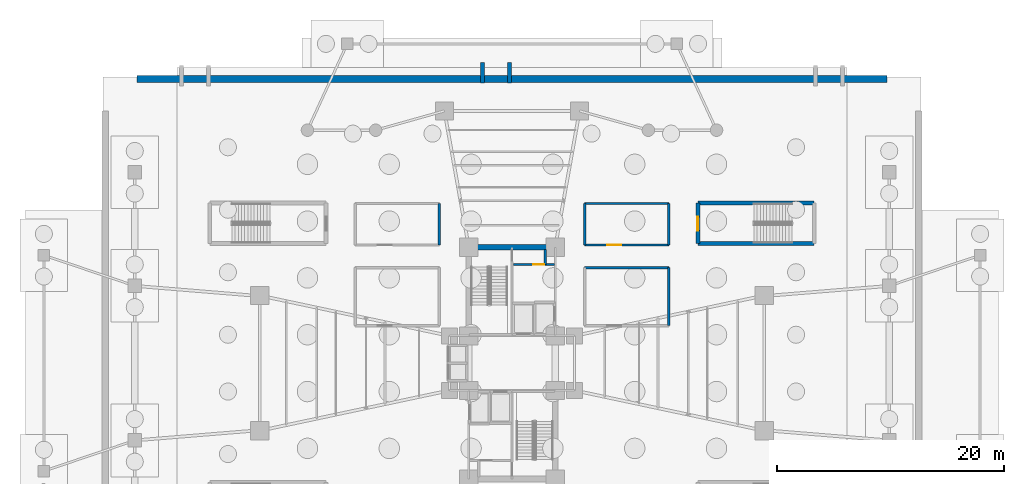
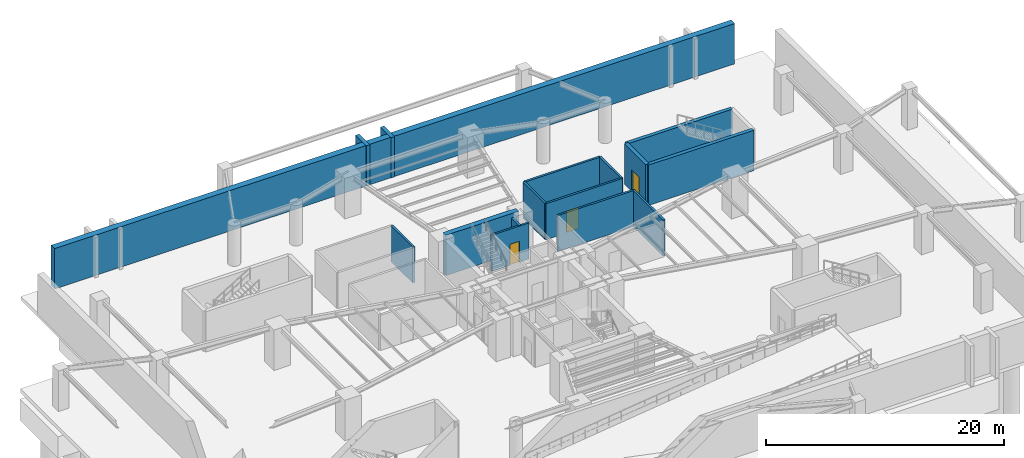
# One storey, part 9 of 15: 16 walls, 3 doors, 3 openings.
"""IFC4 building model written with IfcOpenShell, lengths in metres."""

from ifc_helpers import new_model, si_unit, direction, frame, frame_2d, origin, origin_2d, place, context, subcontext, project, spatial, rectangle, extrude, source, transform, mapped, material, layer, layer_set, type_object, element, fill, save


model = new_model("IFC4")

# Units and contexts
model_context = context("Model", 3, precision=1e-05, world=origin(), true_north=direction((0.0, 1.0)))
body_context = subcontext(model_context, "Body", "Model", "MODEL_VIEW")
ifc_project = project(units=[si_unit("LENGTHUNIT", "METRE"), si_unit("AREAUNIT", "SQUARE_METRE"), si_unit("VOLUMEUNIT", "CUBIC_METRE"), si_unit("PLANEANGLEUNIT", "RADIAN"), si_unit("MASSUNIT", "GRAM", prefix="KILO")], contexts=[model_context])

# Site, building, storey
site_placement = place(None, origin())
site = spatial("IfcSite", under=ifc_project, at=site_placement, CompositionType="ELEMENT")
building_placement = place(site_placement, origin())
building = spatial("IfcBuilding", under=site, at=building_placement, Name="Sahyath Konkavel Grand Hotel", CompositionType="ELEMENT")
storey_placement = place(building_placement, frame((0.0, 0.0, -9.0)))
storey = spatial("IfcBuildingStorey", under=building, at=storey_placement, Name="B2", CompositionType="ELEMENT", Elevation=-9.0)

# Walls
ifc_material_1 = material(Name="Concrete C50/60", Category="concrete")
ifc_layer_1 = layer(ifc_material_1, 0.60009765625)
ifc_layer_set_1 = layer_set([ifc_layer_1], Name="Concrete C50/60")
wall_type_1 = type_object("IfcWallType", Name="BWALL-600", PredefinedType="SOLIDWALL", material=ifc_layer_set_1)
wall_1_placement = place(storey_placement, frame((-33.0, 25.0, 0.0), z_axis=(0.0, 0.0, 1.0), x_axis=(1.0, 0.0, 0.0)))
element("IfcWall", 1, at=wall_1_placement, inside=storey, type_object=wall_type_1, Name="B2 Perimeter Retaining Wall N", PredefinedType="SOLIDWALL", context=body_context, shape_type="SweptSolid", body=[
    extrude(rectangle(XDim=66.0, YDim=0.60009765625, at=frame_2d((33.0, 0.0))), origin(), (0.0, 0.0, 1.0), 4.14990234375),
])
ifc_material_2 = material(Name="Concrete C40/50", Category="concrete")
ifc_layer_2 = layer(ifc_material_2, 0.35009765625)
ifc_layer_set_2 = layer_set([ifc_layer_2], Name="Concrete C40/50")
wall_type_2 = type_object("IfcWallType", Name="CWALL-350", PredefinedType="SHEAR", material=ifc_layer_set_2)
for number, where, z_axis, x_axis, name in (
    (2, (-2.60009765625, 24.64990234375, 0.0), (0.0, 0.0, 1.0), (0.0, 1.0, 0.0), "B2 Pedestrian Ramp Bearing Wall PR5-A"),
    (3, (-0.199951171875, 24.64990234375, 0.0), (0.0, 0.0, 1.0), (0.0, 1.0, 0.0), "B2 Pedestrian Ramp Bearing Wall PR5-B"),
):
    element("IfcWall", number, at=place(storey_placement, frame(where, z_axis=z_axis, x_axis=x_axis)), inside=storey, type_object=wall_type_2, Name=name, PredefinedType="SHEAR", context=body_context, shape_type="SweptSolid", body=[
        extrude(rectangle(XDim=1.800048828125, YDim=0.35009765625, at=frame_2d((0.89990234375, 0.0))), origin(), (0.0, 0.0, 1.0), 4.14990234375),
    ])
for number, where, z_axis, x_axis, name in (
    (4, (16.35009765625, 14.10009765625, 0.0), (0.0, 0.0, 1.0), (1.0, 0.0, 0.0), "B2 Partition ST-P2-N"),
    (5, (16.35009765625, 10.52001953125, 0.0), (0.0, 0.0, 1.0), (1.0, 0.0, 0.0), "B2 Partition ST-P2-S"),
):
    element("IfcWall", number, at=place(storey_placement, frame(where, z_axis=z_axis, x_axis=x_axis)), inside=storey, type_object=wall_type_2, Name=name, PredefinedType="SHEAR", context=body_context, shape_type="SweptSolid", body=[
        extrude(rectangle(XDim=10.25, YDim=0.35009765625, at=frame_2d((5.125, 0.0))), origin(), (0.0, 0.0, 1.0), 4.14990234375),
    ])

# Wall, opening, door
wall_2_placement = place(storey_placement, frame((16.35009765625, 10.52001953125, 0.0), z_axis=(0.0, 0.0, 1.0), x_axis=(0.0, 1.0, 0.0)))
wall_2 = element("IfcWall", 6, at=wall_2_placement, inside=storey, type_object=wall_type_2, Name="B2 Partition ST-P2-W", PredefinedType="SHEAR", context=body_context, shape_type="SweptSolid", body=[
    extrude(rectangle(XDim=3.580078125, YDim=0.35009765625, at=frame_2d((1.7900390625, 0.0))), origin(), (0.0, 0.0, 1.0), 4.14990234375),
])
opening_1_placement = place(wall_2_placement, frame((1.14990234375, 0.0, 0.0)))
opening_1 = element("IfcOpeningElement", 7, at=opening_1_placement, cuts=wall_2, Name="Opening D-F12A", PredefinedType="OPENING", context=body_context, shape_type="SweptSolid", body=[
    extrude(rectangle(XDim=1.199951171875, YDim=2.199951171875, at=frame_2d((0.60009765625, 1.10009765625))), frame((0.0, 0.18505859375, 0.0), z_axis=(0.0, -1.0, 0.0), x_axis=(1.0, 0.0, 0.0)), (0.0, 0.0, 1.0), 0.3701171875),
])
ifc_material_3 = material(Name="Steel E350 Fire Door", Category="steel")
door_type_1 = type_object("IfcDoorType", Name="DR-FD120-1200", OperationType="NOTDEFINED", PredefinedType="DOOR", material=ifc_material_3)
shared_shape_1 = source(origin(), body_context, "Body", "SweptSolid", [
    extrude(rectangle(XDim=1.199951171875, YDim=0.050048828125, at=origin_2d()), origin(), (0.0, 0.0, 1.0), 2.199951171875),
])
door_1_placement = place(opening_1_placement, frame((0.60009765625, 0.0, 0.0)))
door_1 = element("IfcDoor", 8, at=door_1_placement, inside=storey, type_object=door_type_1, Name="B2 ST-P2 Fire Door", OperationType="SINGLE_SWING_LEFT", OverallHeight=2.199951171875, OverallWidth=1.199951171875, PredefinedType="DOOR", context=body_context, shape_type="MappedRepresentation", body=[
    mapped(shared_shape_1, transform((0.0, 0.0, 0.0), scale=1.0)),
])
fill(opening_1, door_1)

# Wall
ifc_material_4 = material(Name="Concrete C70/85", Category="concrete")
ifc_layer_3 = layer(ifc_material_4, 0.5)
ifc_layer_set_3 = layer_set([ifc_layer_3], Name="Concrete C70/85")
wall_type_3 = type_object("IfcWallType", Name="CWALL-500", PredefinedType="SHEAR", material=ifc_layer_set_3)
wall_3_placement = place(storey_placement, frame((-3.550048828125, 10.199951171875, 0.0), z_axis=(0.0, 0.0, 1.0), x_axis=(1.0, 0.0, 0.0)))
element("IfcWall", 9, at=wall_3_placement, inside=storey, type_object=wall_type_3, Name="B2 North Core Shear Wall N", PredefinedType="SHEAR", context=body_context, shape_type="SweptSolid", body=[
    extrude(rectangle(XDim=7.10009765625, YDim=0.5, at=frame_2d((3.550048828125, 0.0))), origin(), (0.0, 0.0, 1.0), 4.14990234375),
])

# Wall, opening, door
ifc_layer_4 = layer(ifc_material_2, 0.199951171875)
ifc_layer_set_4 = layer_set([ifc_layer_4], Name="Concrete C40/50")
wall_type_4 = type_object("IfcWallType", Name="WLL-CORE-200", PredefinedType="SOLIDWALL", material=ifc_layer_set_4)
wall_4_placement = place(storey_placement, frame((0.1201171875, 8.679931640625, 0.0), z_axis=(0.0, 0.0, 1.0), x_axis=(1.0, 0.0, 0.0)))
wall_4 = element("IfcWall", 10, at=wall_4_placement, inside=storey, type_object=wall_type_4, Name="B2 North FF Lobby Separation Wall", PredefinedType="SOLIDWALL", context=body_context, shape_type="SweptSolid", body=[
    extrude(rectangle(XDim=3.619873046875, YDim=0.199951171875, at=frame_2d((1.81005859375, 0.0))), origin(), (0.0, 0.0, 1.0), 3.699951171875),
])
opening_2_placement = place(wall_4_placement, frame((1.75, 0.0, 0.0)))
opening_2 = element("IfcOpeningElement", 11, at=opening_2_placement, cuts=wall_4, Name="Opening D-F12C", PredefinedType="OPENING", context=body_context, shape_type="SweptSolid", body=[
    extrude(rectangle(XDim=0.949951171875, YDim=2.14990234375, at=frame_2d((0.47509765625, 1.074951171875))), frame((0.0, 0.10986328125, 0.0), z_axis=(0.0, -1.0, 0.0), x_axis=(1.0, 0.0, 0.0)), (0.0, 0.0, 1.0), 0.219970703125),
])
ifc_material_5 = material(Name="Steel E350 Plant Fire Door", Category="steel")
door_type_2 = type_object("IfcDoorType", Name="DR-FD120-950", OperationType="NOTDEFINED", PredefinedType="DOOR", material=ifc_material_5)
shared_shape_2 = source(origin(), body_context, "Body", "SweptSolid", [
    extrude(rectangle(XDim=0.949951171875, YDim=0.050048828125, at=origin_2d()), origin(), (0.0, 0.0, 1.0), 2.14990234375),
])
door_2_placement = place(opening_2_placement, frame((0.47509765625, 0.0, 0.0)))
door_2 = element("IfcDoor", 12, at=door_2_placement, inside=storey, type_object=door_type_2, Name="B2 North Firefighting Lobby Door", OperationType="SINGLE_SWING_LEFT", OverallHeight=2.14990234375, OverallWidth=0.949951171875, PredefinedType="DOOR", context=body_context, shape_type="MappedRepresentation", body=[
    mapped(shared_shape_2, transform((0.0, 0.0, 0.0), scale=1.0)),
])
fill(opening_2, door_2)

# Walls
wall_5_placement = place(storey_placement, frame((2.919921875, 8.679931640625, 0.0), z_axis=(0.0, 0.0, 1.0), x_axis=(0.0, 1.0, 0.0)))
element("IfcWall", 13, at=wall_5_placement, inside=storey, type_object=wall_type_4, Name="B2 Partition NFF-E2", PredefinedType="SOLIDWALL", context=body_context, shape_type="SweptSolid", body=[
    extrude(rectangle(XDim=1.320068359375, YDim=0.199951171875, at=frame_2d((0.66015625, 0.0))), origin(), (0.0, 0.0, 1.0), 3.699951171875),
])
wall_6_placement = place(storey_placement, frame((6.39990234375, 8.39990234375, 0.0), z_axis=(0.0, 0.0, 1.0), x_axis=(1.0, 0.0, 0.0)))
element("IfcWall", 14, at=wall_6_placement, inside=storey, type_object=wall_type_4, Name="B2 Partition B2-DWT-N", PredefinedType="SOLIDWALL", context=body_context, shape_type="SweptSolid", body=[
    extrude(rectangle(XDim=7.400146484375, YDim=0.199951171875, at=frame_2d((3.7001953125, 0.0))), origin(), (0.0, 0.0, 1.0), 3.699951171875),
])
wall_7_placement = place(storey_placement, frame((13.800048828125, 3.300048828125, 0.0), z_axis=(0.0, 0.0, 1.0), x_axis=(0.0, 1.0, 0.0)))
element("IfcWall", 15, at=wall_7_placement, inside=storey, type_object=wall_type_4, Name="B2 Partition B2-DWT-E", PredefinedType="SOLIDWALL", context=body_context, shape_type="SweptSolid", body=[
    extrude(rectangle(XDim=5.099853515625, YDim=0.199951171875, at=frame_2d((2.5498046875, 0.0))), origin(), (0.0, 0.0, 1.0), 3.699951171875),
])
wall_8_placement = place(storey_placement, frame((-6.39990234375, 10.39990234375, 0.0), z_axis=(0.0, 0.0, 1.0), x_axis=(0.0, 1.0, 0.0)))
element("IfcWall", 16, at=wall_8_placement, inside=storey, type_object=wall_type_4, Name="B2 Partition B2-STP-E", PredefinedType="SOLIDWALL", context=body_context, shape_type="SweptSolid", body=[
    extrude(rectangle(XDim=3.650146484375, YDim=0.199951171875, at=frame_2d((1.8251953125, 0.0))), origin(), (0.0, 0.0, 1.0), 3.699951171875),
])
wall_9_placement = place(storey_placement, frame((6.39990234375, 14.050048828125, 0.0), z_axis=(0.0, 0.0, 1.0), x_axis=(1.0, 0.0, 0.0)))
element("IfcWall", 17, at=wall_9_placement, inside=storey, type_object=wall_type_4, Name="B2 Partition B2-PMP-N", PredefinedType="SOLIDWALL", context=body_context, shape_type="SweptSolid", body=[
    extrude(rectangle(XDim=7.400146484375, YDim=0.199951171875, at=frame_2d((3.7001953125, 0.0))), origin(), (0.0, 0.0, 1.0), 3.699951171875),
])

# Wall, opening, door
wall_10_placement = place(storey_placement, frame((6.39990234375, 10.39990234375, 0.0), z_axis=(0.0, 0.0, 1.0), x_axis=(1.0, 0.0, 0.0)))
wall_10 = element("IfcWall", 18, at=wall_10_placement, inside=storey, type_object=wall_type_4, Name="B2 Partition B2-PMP-S", PredefinedType="SOLIDWALL", context=body_context, shape_type="SweptSolid", body=[
    extrude(rectangle(XDim=7.400146484375, YDim=0.199951171875, at=frame_2d((3.7001953125, 0.0))), origin(), (0.0, 0.0, 1.0), 3.699951171875),
])
opening_3_placement = place(wall_10_placement, frame((2.0, 0.0, 0.0)))
opening_3 = element("IfcOpeningElement", 19, at=opening_3_placement, cuts=wall_10, Name="Opening D-F12A", PredefinedType="OPENING", context=body_context, shape_type="SweptSolid", body=[
    extrude(rectangle(XDim=1.199951171875, YDim=2.199951171875, at=frame_2d((0.60009765625, 1.10009765625))), frame((0.0, 0.10986328125, 0.0), z_axis=(0.0, -1.0, 0.0), x_axis=(1.0, 0.0, 0.0)), (0.0, 0.0, 1.0), 0.219970703125),
])
door_3_placement = place(opening_3_placement, frame((0.60009765625, 0.0, 0.0)))
door_3 = element("IfcDoor", 20, at=door_3_placement, inside=storey, type_object=door_type_1, Name="B2 Door B2-PMP-D", OperationType="SINGLE_SWING_LEFT", OverallHeight=2.199951171875, OverallWidth=1.199951171875, PredefinedType="DOOR", context=body_context, shape_type="MappedRepresentation", body=[
    mapped(shared_shape_1, transform((0.0, 0.0, 0.0), scale=1.0)),
])
fill(opening_3, door_3)

# Walls
for number, where, z_axis, x_axis, name in (
    (21, (6.39990234375, 10.39990234375, 0.0), (0.0, 0.0, 1.0), (0.0, 1.0, 0.0), "B2 Partition B2-PMP-W"),
    (22, (13.800048828125, 10.39990234375, 0.0), (0.0, 0.0, 1.0), (0.0, 1.0, 0.0), "B2 Partition B2-PMP-E"),
):
    element("IfcWall", number, at=place(storey_placement, frame(where, z_axis=z_axis, x_axis=x_axis)), inside=storey, type_object=wall_type_4, Name=name, PredefinedType="SOLIDWALL", context=body_context, shape_type="SweptSolid", body=[
        extrude(rectangle(XDim=3.650146484375, YDim=0.199951171875, at=frame_2d((1.8251953125, 0.0))), origin(), (0.0, 0.0, 1.0), 3.699951171875),
    ])

save(model, "model.ifc")
